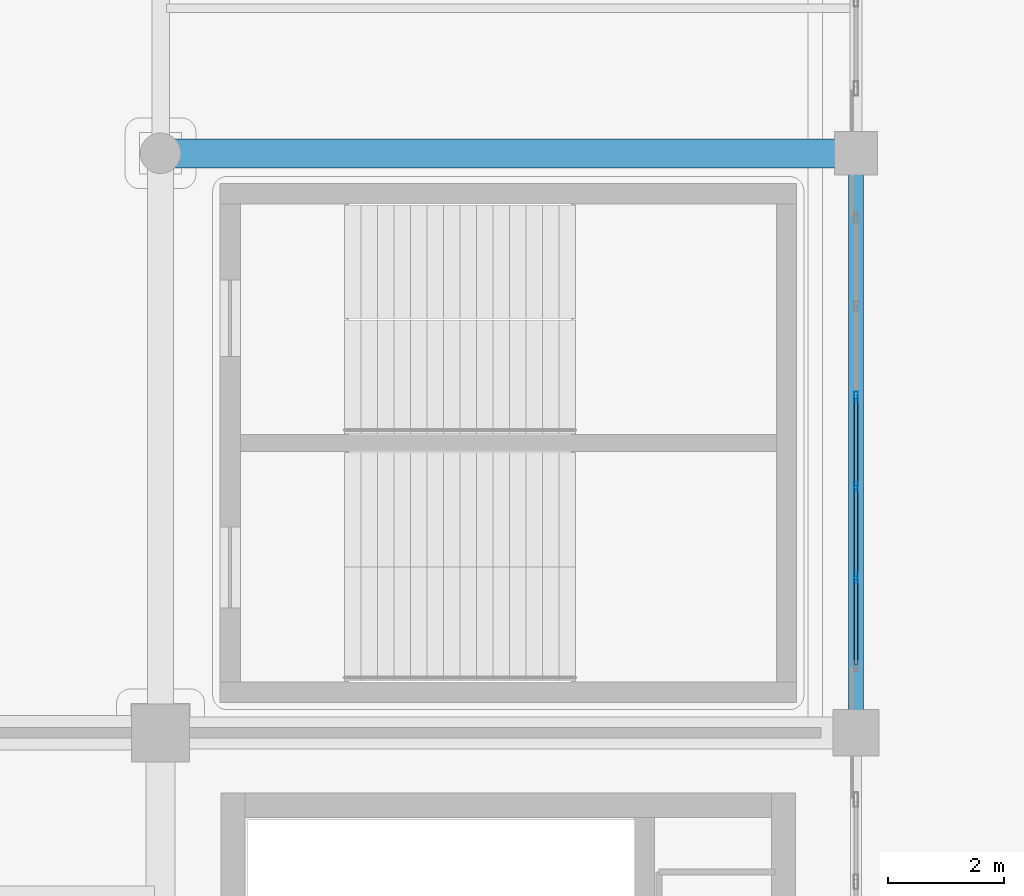
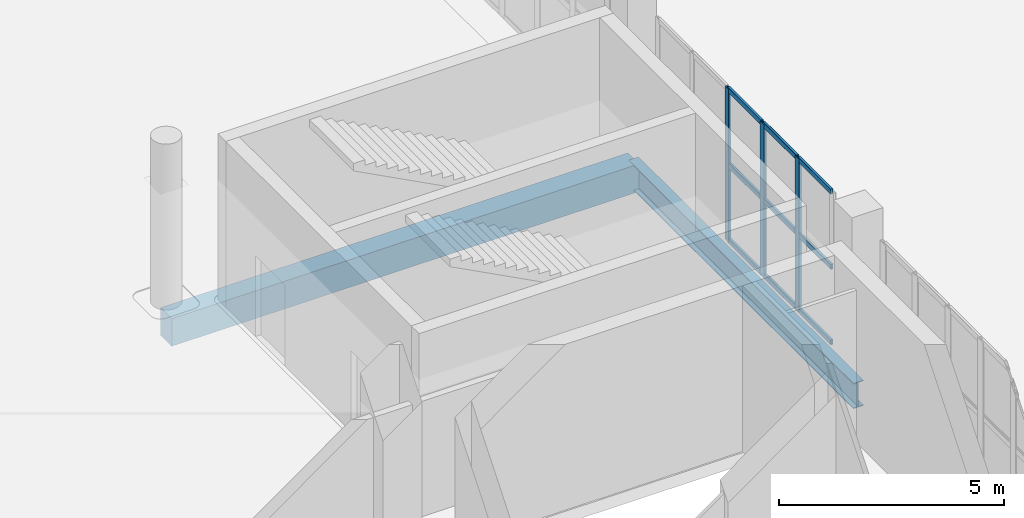
# One storey, part 53 of 108: 12 members, 2 beams, 1 element without a shape of its own.
"""IFC4 building model written with IfcOpenShell, lengths in metres."""

import ifcopenshell
import ifcopenshell.guid

model = None  # the IFC model being written
_history = None  # IfcOwnerHistory: only IFC2X3 demands one
_inside = {}  # id of a spatial element -> (the spatial element, [elements in it])
_under = {}  # id of a project, library or spatial element -> (it, [spatial elements below it])
_declared = {}  # id of a project -> (the project, [libraries it declares])
_typed = {}  # id of a type object -> (the type object, [elements of that type])
_made_of = {}  # id of a material, layer set ... -> (it, [elements and type objects made of it])


def new_model(schema):
    """Start an empty IFC model of exactly this schema.

    Asked for "IFC4X3", IfcOpenShell would pick the latest addendum, in which some entities
    have other attributes; the version numbers below select the first issue.
    IFC2X3 requires an IfcOwnerHistory on every rooted entity: one is made here for all.
    """
    global model, _history
    if schema == "IFC4X3":
        model = ifcopenshell.file(schema_version=(4, 3, 0, 0))
    else:
        model = ifcopenshell.file(schema=schema)
    _inside.clear()
    _under.clear()
    _declared.clear()
    _typed.clear()
    _made_of.clear()
    _history = None
    if model.schema == "IFC2X3":
        org = make("IfcOrganization", Name="unknown")
        user = make(
            "IfcPersonAndOrganization",
            ThePerson=make("IfcPerson", FamilyName="unknown"),
            TheOrganization=org,
        )
        app = make(
            "IfcApplication",
            ApplicationDeveloper=org,
            Version="unknown",
            ApplicationFullName="unknown",
            ApplicationIdentifier="unknown",
        )
        _history = make(
            "IfcOwnerHistory",
            OwningUser=user,
            OwningApplication=app,
            ChangeAction="ADDED",
            CreationDate=0,
        )
    return model


def make(cls, **values):
    """One entity of the class cls with the attributes given. An attribute that is None is left unset."""
    return model.create_entity(
        cls, **{name: value for name, value in values.items() if value is not None}
    )


def rooted(cls, **values):
    """An entity with a GlobalId (a new one), such as an element, a storey or a relation."""
    return make(cls, GlobalId=ifcopenshell.guid.new(), OwnerHistory=_history, **values)


def si_unit(unit_type, name, prefix=None):
    """IfcSIUnit, for example si_unit("LENGTHUNIT", "METRE", prefix="MILLI")."""
    return make("IfcSIUnit", UnitType=unit_type, Prefix=prefix, Name=name)


def assignment(units):
    """IfcUnitAssignment: the units of a project."""
    return None if units is None else make("IfcUnitAssignment", Units=units)


def point(xyz):
    """IfcCartesianPoint."""
    return None if xyz is None else make("IfcCartesianPoint", Coordinates=xyz)


def direction(xyz):
    """IfcDirection."""
    return None if xyz is None else make("IfcDirection", DirectionRatios=xyz)


def frame(location, z_axis=None, x_axis=None):
    """IfcAxis2Placement3D, a coordinate frame: its origin and axes. An axis left out is left unset."""
    return make(
        "IfcAxis2Placement3D",
        Location=point(location),
        Axis=direction(z_axis),
        RefDirection=direction(x_axis),
    )


def frame_2d(location, x_axis=None):
    """IfcAxis2Placement2D, a coordinate frame in the plane: its origin and x axis."""
    return make(
        "IfcAxis2Placement2D", Location=point(location), RefDirection=direction(x_axis)
    )


def origin():
    """The frame at (0, 0, 0) with its axes left unset."""
    return frame((0.0, 0.0, 0.0))


def origin_2d():
    """The frame at (0, 0) in the plane with its x axis left unset."""
    return frame_2d((0.0, 0.0))


def place(relative_to, where):
    """IfcLocalPlacement: puts the frame where relative to a parent placement (None: the world)."""
    return make(
        "IfcLocalPlacement", PlacementRelTo=relative_to, RelativePlacement=where
    )


def context(
    kind, dimensions, precision=None, world=None, true_north=None, identifier=None
):
    """IfcGeometricRepresentationContext, for example the 3D "Model" context."""
    return make(
        "IfcGeometricRepresentationContext",
        ContextIdentifier=identifier,
        ContextType=kind,
        CoordinateSpaceDimension=dimensions,
        Precision=precision,
        WorldCoordinateSystem=world,
        TrueNorth=true_north,
    )


def subcontext(parent, identifier, kind, view, scale=None):
    """IfcGeometricRepresentationSubContext, for example "Body" below "Model"."""
    return make(
        "IfcGeometricRepresentationSubContext",
        ContextIdentifier=identifier,
        ContextType=kind,
        ParentContext=parent,
        TargetScale=scale,
        TargetView=view,
    )


def project(units=None, contexts=None):
    """IfcProject with its units and contexts."""
    return rooted(
        "IfcProject",
        Name="project",
        RepresentationContexts=contexts,
        UnitsInContext=assignment(units),
    )


def spatial(cls, under=None, at=None, **own):
    """A site, building, storey or space (cls), placed at a placement, below another one or the project."""
    s = rooted(cls, ObjectPlacement=at, **own)
    if under is not None:
        _under.setdefault(under.id(), (under, []))[1].append(s)
    return s


def profile(cls, at=None, kind="AREA", **sizes):
    """A parametric profile (cls). Its sizes go by their IFC names, for example OverallWidth=200.0."""
    return make(cls, ProfileType=kind, Position=at, **sizes)


def rectangle(**sizes):
    """IfcRectangleProfileDef."""
    return profile("IfcRectangleProfileDef", **sizes)


def hollow_rectangle(**sizes):
    """IfcRectangleHollowProfileDef."""
    return profile("IfcRectangleHollowProfileDef", **sizes)


def i_section(**sizes):
    """IfcIShapeProfileDef."""
    return profile("IfcIShapeProfileDef", **sizes)


def extrude(swept, where, along, depth):
    """IfcExtrudedAreaSolid: the profile swept, set in the frame where, extruded along a direction by depth."""
    return make(
        "IfcExtrudedAreaSolid",
        SweptArea=swept,
        Position=where,
        ExtrudedDirection=direction(along),
        Depth=depth,
    )


def shape(context_of_items, identifier, shape_type, items):
    """IfcShapeRepresentation: the items that make up one representation, for example the "Body"."""
    return make(
        "IfcShapeRepresentation",
        ContextOfItems=context_of_items,
        RepresentationIdentifier=identifier,
        RepresentationType=shape_type,
        Items=items,
    )


def material(Name=None, Category=None):
    """IfcMaterial."""
    return make("IfcMaterial", Name=Name, Category=Category)


def layer(
    of_material, thickness, ventilated=None, Name=None, Category=None, Priority=None
):
    """IfcMaterialLayer: one layer of a wall or slab, of a material (None: an air gap)."""
    return make(
        "IfcMaterialLayer",
        Material=of_material,
        LayerThickness=thickness,
        IsVentilated=ventilated,
        Name=Name,
        Category=Category,
        Priority=Priority,
    )


def layer_set(layers, Name=None):
    """IfcMaterialLayerSet."""
    return make("IfcMaterialLayerSet", MaterialLayers=layers, LayerSetName=Name)


def material_profile(
    of_material, cross_section, Name=None, Category=None, Priority=None
):
    """IfcMaterialProfile: a cross section and its material."""
    return make(
        "IfcMaterialProfile",
        Name=Name,
        Material=of_material,
        Profile=cross_section,
        Priority=Priority,
        Category=Category,
    )


def profile_set(profiles, Name=None, composite=None):
    """IfcMaterialProfileSet."""
    return make(
        "IfcMaterialProfileSet",
        Name=Name,
        MaterialProfiles=profiles,
        CompositeProfile=composite,
    )


def made_of(thing, what):
    """Note that an element or type object is made of a material, layer set ...; save() writes the relation."""
    if what is not None:
        _made_of.setdefault(what.id(), (what, []))[1].append(thing)
    return thing


def type_object(cls, material=None, **own):
    """A type object (cls), such as IfcWallType, which elements share."""
    return made_of(rooted(cls, **own), material)


def element(
    cls,
    number,
    at=None,
    inside=None,
    cuts=None,
    type_object=None,
    material=None,
    context=None,
    identifier="Body",
    shape_type=None,
    held_by="IfcProductDefinitionShape",
    body=None,
    shapes=None,
    **own,
):
    """One element of the class cls, such as IfcWall. Its Tag is "e" and its number.

    at: its placement. inside: the storey or other place that contains it. cuts: it is an
    opening in that element (IfcRelVoidsElement). A single representation is given by context,
    identifier, shape_type and body (its items); several are given by shapes. held_by: the class
    of the entity that holds the representations. save() writes the other relations.
    """
    e = rooted(cls, Tag="e%d" % number, ObjectPlacement=at, **own)
    if body is not None:
        shapes = [shape(context, identifier, shape_type, body)]
    if shapes is not None:
        e.Representation = make(held_by, Representations=shapes)
    if inside is not None:
        _inside.setdefault(inside.id(), (inside, []))[1].append(e)
    if cuts is not None:
        rooted(
            "IfcRelVoidsElement", RelatingBuildingElement=cuts, RelatedOpeningElement=e
        )
    if type_object is not None:
        _typed.setdefault(type_object.id(), (type_object, []))[1].append(e)
    return made_of(e, material)


def aggregate(whole, parts):
    """IfcRelAggregates: a whole, such as a stair, and the parts it consists of."""
    return rooted("IfcRelAggregates", RelatingObject=whole, RelatedObjects=parts)


def save(model, path):
    """Write the relations noted so far, then the file.

    IfcRelAggregates (storeys below a building ...), IfcRelContainedInSpatialStructure (elements
    in a storey), IfcRelDefinesByType, IfcRelAssociatesMaterial and IfcRelDeclares: one each for
    every whole, place, type object, material and project.
    """
    for whole, parts in _under.values():
        aggregate(whole, parts)
    for where, things in _inside.values():
        rooted(
            "IfcRelContainedInSpatialStructure",
            RelatedElements=things,
            RelatingStructure=where,
        )
    for kind, things in _typed.values():
        rooted("IfcRelDefinesByType", RelatedObjects=things, RelatingType=kind)
    for what, things in _made_of.values():
        rooted("IfcRelAssociatesMaterial", RelatedObjects=things, RelatingMaterial=what)
    for by, libraries in _declared.values():
        rooted("IfcRelDeclares", RelatingContext=by, RelatedDefinitions=libraries)
    model.write(path)


model = new_model("IFC4")

# Units and contexts
model_context = context("Model", 3, precision=1e-05, world=origin(), true_north=direction((0.0, 1.0)))
body_context = subcontext(model_context, "Body", "Model", "MODEL_VIEW")
ifc_project = project(units=[si_unit("LENGTHUNIT", "METRE"), si_unit("AREAUNIT", "SQUARE_METRE"), si_unit("VOLUMEUNIT", "CUBIC_METRE"), si_unit("PLANEANGLEUNIT", "RADIAN"), si_unit("MASSUNIT", "GRAM", prefix="KILO")], contexts=[model_context])

# Site, building, storey
site_placement = place(None, origin())
site = spatial("IfcSite", under=ifc_project, at=site_placement, CompositionType="ELEMENT")
building_placement = place(site_placement, origin())
building = spatial("IfcBuilding", under=site, at=building_placement, Name="Brinegate Civic Arena", CompositionType="ELEMENT")
storey_placement = place(building_placement, frame((0.0, 0.0, 10.199951171875)))
storey = spatial("IfcBuildingStorey", under=building, at=storey_placement, Name="L02", CompositionType="ELEMENT", Elevation=10.199951171875)

# Curtain wall, members
ifc_material_1 = material(Name="Marine grade aluminium", Category="aluminium")
ifc_layer = layer(ifc_material_1, 0.199951171875, Name="Marine grade aluminium")
ifc_layer_set = layer_set([ifc_layer], Name="Marine grade aluminium")
curtain_wall_type = type_object("IfcCurtainWallType", Name="CW-BOWL-GLAZED-01", PredefinedType="USERDEFINED", material=ifc_layer_set)
curtain_wall_placement = place(storey_placement, origin())
curtain_wall = element("IfcCurtainWall", 1, at=curtain_wall_placement, inside=storey, type_object=curtain_wall_type, Name="Curtain Wall CWA-080", ObjectType="GLAZED CURTAIN WALL", PredefinedType="USERDEFINED")
ifc_material_profile_1 = material_profile(ifc_material_1, hollow_rectangle(XDim=0.06494140625, YDim=0.179931640625, WallThickness=0.0048828125, InnerFilletRadius=0.00390625, OuterFilletRadius=0.008056640625, at=origin_2d()), Name="MUL65X180")
ifc_profile_set_1 = profile_set([ifc_material_profile_1], Name="Marine grade aluminium")
member_type_1 = type_object("IfcMemberType", Name="CW-MULLION-65X180", PredefinedType="MULLION", material=ifc_profile_set_1)
member_1_placement = place(storey_placement, frame((168.0, 44.6767578125, 0.0), z_axis=(0.0, 0.0, 1.0), x_axis=(-1.0, 0.0, 0.0)))
member_1 = element("IfcMember", 2, at=member_1_placement, type_object=member_type_1, Name="CWA-080 mullion 2", PredefinedType="MULLION", context=body_context, shape_type="SweptSolid", body=[
    extrude(hollow_rectangle(XDim=0.06494140625, YDim=0.179931640625, WallThickness=0.0048828125, InnerFilletRadius=0.00390625, OuterFilletRadius=0.008056640625, at=origin_2d()), origin(), (0.0, 0.0, 1.0), 4.150146484375),
])
member_2_placement = place(storey_placement, frame((168.0, 46.237548828125, 0.0), z_axis=(0.0, 0.0, 1.0), x_axis=(-1.0, 0.0, 0.0)))
member_2 = element("IfcMember", 3, at=member_2_placement, type_object=member_type_1, Name="CWA-080 mullion 3", PredefinedType="MULLION", context=body_context, shape_type="SweptSolid", body=[
    extrude(hollow_rectangle(XDim=0.06494140625, YDim=0.179931640625, WallThickness=0.0048828125, InnerFilletRadius=0.00390625, OuterFilletRadius=0.008056640625, at=origin_2d()), origin(), (0.0, 0.0, 1.0), 4.150146484375),
])
member_3_placement = place(storey_placement, frame((168.0, 47.79833984375, 0.0), z_axis=(0.0, 0.0, 1.0), x_axis=(-1.0, 0.0, 0.0)))
member_3 = element("IfcMember", 4, at=member_3_placement, type_object=member_type_1, Name="CWA-080 mullion 4", PredefinedType="MULLION", context=body_context, shape_type="SweptSolid", body=[
    extrude(hollow_rectangle(XDim=0.06494140625, YDim=0.179931640625, WallThickness=0.0048828125, InnerFilletRadius=0.00390625, OuterFilletRadius=0.008056640625, at=origin_2d()), origin(), (0.0, 0.0, 1.0), 4.150146484375),
])
ifc_material_profile_2 = material_profile(ifc_material_1, hollow_rectangle(XDim=0.06494140625, YDim=0.139892578125, WallThickness=0.0048828125, InnerFilletRadius=0.00390625, OuterFilletRadius=0.008056640625, at=origin_2d()), Name="TRN65X140")
ifc_profile_set_2 = profile_set([ifc_material_profile_2], Name="Marine grade aluminium")
member_type_2 = type_object("IfcMemberType", Name="CW-TRANSOM-65X140", PredefinedType="USERDEFINED", material=ifc_profile_set_2)
member_4_placement = place(storey_placement, frame((168.0, 43.180908203125, 0.032470703125), z_axis=(0.0, 1.0, 0.0), x_axis=(-1.0, 0.0, 0.0)))
member_4 = element("IfcMember", 5, at=member_4_placement, type_object=member_type_2, Name="CWA-080 transom 1.1", ObjectType="TRANSOM", PredefinedType="USERDEFINED", context=body_context, shape_type="SweptSolid", body=[
    extrude(hollow_rectangle(XDim=0.06494140625, YDim=0.139892578125, WallThickness=0.0048828125, InnerFilletRadius=0.00390625, OuterFilletRadius=0.008056640625, at=origin_2d()), origin(), (0.0, 0.0, 1.0), 1.46337890625),
])
member_5_placement = place(storey_placement, frame((168.0, 43.180908203125, 2.074951171875), z_axis=(0.0, 1.0, 0.0), x_axis=(-1.0, 0.0, 0.0)))
member_5 = element("IfcMember", 6, at=member_5_placement, type_object=member_type_2, Name="CWA-080 transom 1.2", ObjectType="TRANSOM", PredefinedType="USERDEFINED", context=body_context, shape_type="SweptSolid", body=[
    extrude(hollow_rectangle(XDim=0.06494140625, YDim=0.139892578125, WallThickness=0.0048828125, InnerFilletRadius=0.00390625, OuterFilletRadius=0.008056640625, at=origin_2d()), origin(), (0.0, 0.0, 1.0), 1.46337890625),
])
member_6_placement = place(storey_placement, frame((168.0, 43.180908203125, 4.117431640625), z_axis=(0.0, 1.0, 0.0), x_axis=(-1.0, 0.0, 0.0)))
member_6 = element("IfcMember", 7, at=member_6_placement, type_object=member_type_2, Name="CWA-080 transom 1.3", ObjectType="TRANSOM", PredefinedType="USERDEFINED", context=body_context, shape_type="SweptSolid", body=[
    extrude(hollow_rectangle(XDim=0.06494140625, YDim=0.139892578125, WallThickness=0.0048828125, InnerFilletRadius=0.00390625, OuterFilletRadius=0.008056640625, at=origin_2d()), origin(), (0.0, 0.0, 1.0), 1.46337890625),
])
member_7_placement = place(storey_placement, frame((168.0, 44.709228515625, 0.032470703125), z_axis=(0.0, 1.0, 0.0), x_axis=(-1.0, 0.0, 0.0)))
member_7 = element("IfcMember", 8, at=member_7_placement, type_object=member_type_2, Name="CWA-080 transom 2.1", ObjectType="TRANSOM", PredefinedType="USERDEFINED", context=body_context, shape_type="SweptSolid", body=[
    extrude(hollow_rectangle(XDim=0.06494140625, YDim=0.139892578125, WallThickness=0.0048828125, InnerFilletRadius=0.00390625, OuterFilletRadius=0.008056640625, at=origin_2d()), origin(), (0.0, 0.0, 1.0), 1.495849609375),
])
member_8_placement = place(storey_placement, frame((168.0, 44.709228515625, 2.074951171875), z_axis=(0.0, 1.0, 0.0), x_axis=(-1.0, 0.0, 0.0)))
member_8 = element("IfcMember", 9, at=member_8_placement, type_object=member_type_2, Name="CWA-080 transom 2.2", ObjectType="TRANSOM", PredefinedType="USERDEFINED", context=body_context, shape_type="SweptSolid", body=[
    extrude(hollow_rectangle(XDim=0.06494140625, YDim=0.139892578125, WallThickness=0.0048828125, InnerFilletRadius=0.00390625, OuterFilletRadius=0.008056640625, at=origin_2d()), origin(), (0.0, 0.0, 1.0), 1.495849609375),
])
member_9_placement = place(storey_placement, frame((168.0, 44.709228515625, 4.117431640625), z_axis=(0.0, 1.0, 0.0), x_axis=(-1.0, 0.0, 0.0)))
member_9 = element("IfcMember", 10, at=member_9_placement, type_object=member_type_2, Name="CWA-080 transom 2.3", ObjectType="TRANSOM", PredefinedType="USERDEFINED", context=body_context, shape_type="SweptSolid", body=[
    extrude(hollow_rectangle(XDim=0.06494140625, YDim=0.139892578125, WallThickness=0.0048828125, InnerFilletRadius=0.00390625, OuterFilletRadius=0.008056640625, at=origin_2d()), origin(), (0.0, 0.0, 1.0), 1.495849609375),
])
member_10_placement = place(storey_placement, frame((168.0, 46.27001953125, 0.032470703125), z_axis=(0.0, 1.0, 0.0), x_axis=(-1.0, 0.0, 0.0)))
member_10 = element("IfcMember", 11, at=member_10_placement, type_object=member_type_2, Name="CWA-080 transom 3.1", ObjectType="TRANSOM", PredefinedType="USERDEFINED", context=body_context, shape_type="SweptSolid", body=[
    extrude(hollow_rectangle(XDim=0.06494140625, YDim=0.139892578125, WallThickness=0.0048828125, InnerFilletRadius=0.00390625, OuterFilletRadius=0.008056640625, at=origin_2d()), origin(), (0.0, 0.0, 1.0), 1.495849609375),
])
member_11_placement = place(storey_placement, frame((168.0, 46.27001953125, 2.074951171875), z_axis=(0.0, 1.0, 0.0), x_axis=(-1.0, 0.0, 0.0)))
member_11 = element("IfcMember", 12, at=member_11_placement, type_object=member_type_2, Name="CWA-080 transom 3.2", ObjectType="TRANSOM", PredefinedType="USERDEFINED", context=body_context, shape_type="SweptSolid", body=[
    extrude(hollow_rectangle(XDim=0.06494140625, YDim=0.139892578125, WallThickness=0.0048828125, InnerFilletRadius=0.00390625, OuterFilletRadius=0.008056640625, at=origin_2d()), origin(), (0.0, 0.0, 1.0), 1.495849609375),
])
member_12_placement = place(storey_placement, frame((168.0, 46.27001953125, 4.117431640625), z_axis=(0.0, 1.0, 0.0), x_axis=(-1.0, 0.0, 0.0)))
member_12 = element("IfcMember", 13, at=member_12_placement, type_object=member_type_2, Name="CWA-080 transom 3.3", ObjectType="TRANSOM", PredefinedType="USERDEFINED", context=body_context, shape_type="SweptSolid", body=[
    extrude(hollow_rectangle(XDim=0.06494140625, YDim=0.139892578125, WallThickness=0.0048828125, InnerFilletRadius=0.00390625, OuterFilletRadius=0.008056640625, at=origin_2d()), origin(), (0.0, 0.0, 1.0), 1.495849609375),
])
aggregate(curtain_wall, [member_1, member_2, member_3, member_4, member_5, member_6, member_7, member_8, member_9, member_10, member_11, member_12])

# Beams
ifc_material_2 = material(Name="Concrete C50/60", Category="concrete")
ifc_material_profile_3 = material_profile(ifc_material_2, rectangle(XDim=0.5, YDim=0.75, at=origin_2d()), Name="RCB500X750")
ifc_profile_set_3 = profile_set([ifc_material_profile_3], Name="Concrete C50/60")
beam_type_1 = type_object("IfcBeamType", Name="RCG-500X750", PredefinedType="BEAM", material=ifc_profile_set_3)
beam_1_placement = place(storey_placement, frame((156.0, 52.0, -0.704833984375), z_axis=(1.0, 0.0, 0.0), x_axis=(0.0, 1.0, 0.0)))
element("IfcBeam", 14, at=beam_1_placement, inside=storey, type_object=beam_type_1, Name="Floor Girder BM-L02-GX-13-05", PredefinedType="BEAM", context=body_context, shape_type="SweptSolid", body=[
    extrude(rectangle(XDim=0.5, YDim=0.75, at=origin_2d()), origin(), (0.0, 0.0, 1.0), 12.0),
])
ifc_material_3 = material(Name="Steel S355", Category="steel")
ifc_material_profile_4 = material_profile(ifc_material_3, i_section(OverallWidth=0.256103515625, OverallDepth=0.693115234375, WebThickness=0.014892578125, FlangeThickness=0.02392578125, FilletRadius=0.01806640625, at=origin_2d()), Name="W690X170")
ifc_profile_set_4 = profile_set([ifc_material_profile_4], Name="Steel S355")
beam_type_2 = type_object("IfcBeamType", Name="SPANDREL-W690X170", PredefinedType="SPANDREL", material=ifc_profile_set_4)
beam_2_placement = place(storey_placement, frame((168.0, 42.0, -0.676025390625), z_axis=(0.0, 1.0, 0.0), x_axis=(-1.0, 0.0, 0.0)))
element("IfcBeam", 15, at=beam_2_placement, inside=storey, type_object=beam_type_2, Name="Floor Girder BM-L02-GY-14-04", PredefinedType="SPANDREL", context=body_context, shape_type="SweptSolid", body=[
    extrude(i_section(OverallWidth=0.256103515625, OverallDepth=0.693115234375, WebThickness=0.014892578125, FlangeThickness=0.02392578125, FilletRadius=0.01806640625, at=origin_2d()), origin(), (0.0, 0.0, 1.0), 10.0),
])

save(model, "model.ifc")
